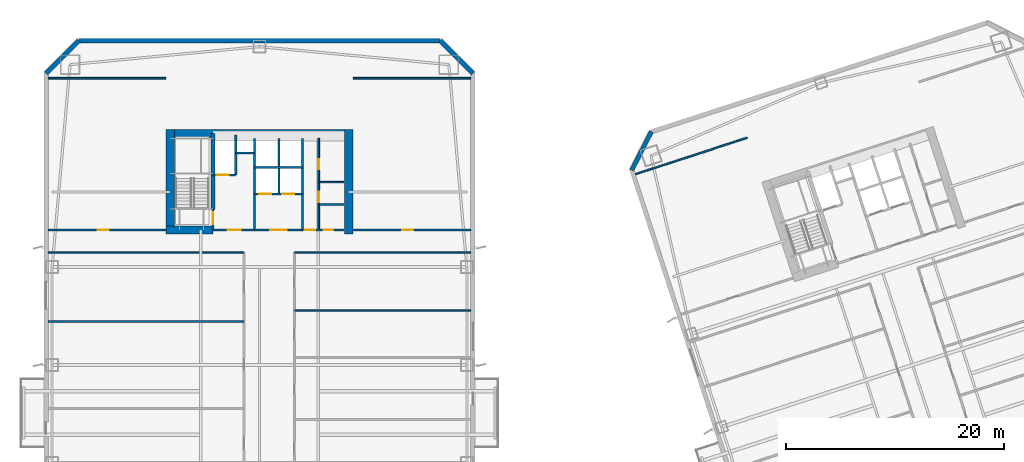
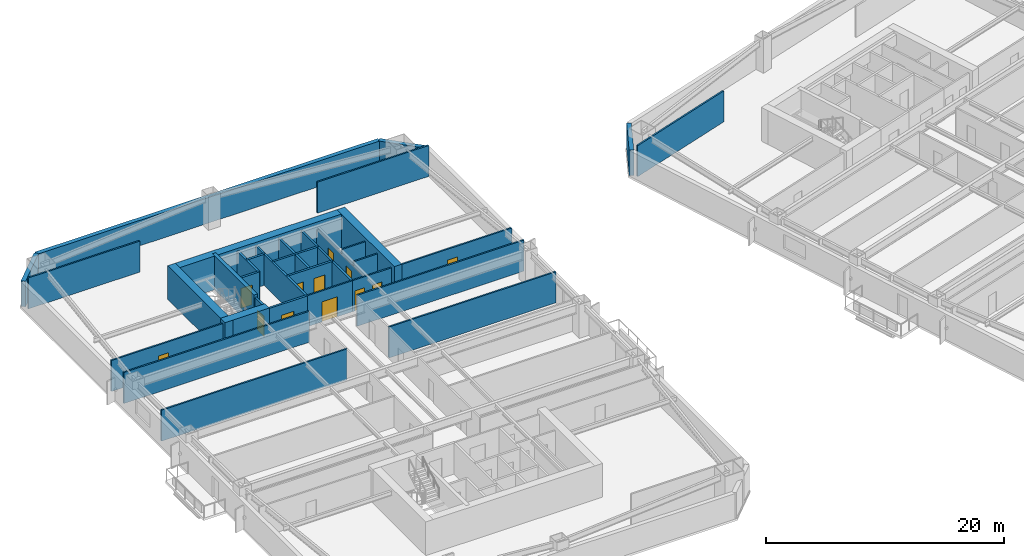
# One storey, part 6 of 18: 33 walls, 12 doors, 12 openings.
"""IFC4 building model written with IfcOpenShell, lengths in metres."""

from ifc_helpers import new_model, si_unit, direction, frame, frame_2d, origin, place, context, subcontext, project, spatial, rectangle, extrude, material, layer, layer_set, type_object, element, fill, save


model = new_model("IFC4")

# Units and contexts
model_context = context("Model", 3, precision=1e-05, world=origin(), true_north=direction((0.0, 1.0)))
body_context = subcontext(model_context, "Body", "Model", "MODEL_VIEW")
ifc_project = project(units=[si_unit("LENGTHUNIT", "METRE"), si_unit("AREAUNIT", "SQUARE_METRE"), si_unit("VOLUMEUNIT", "CUBIC_METRE"), si_unit("PLANEANGLEUNIT", "RADIAN"), si_unit("MASSUNIT", "GRAM", prefix="KILO")], contexts=[model_context])

# Site, building, storey
site_placement = place(None, origin())
site = spatial("IfcSite", under=ifc_project, at=site_placement, CompositionType="ELEMENT")
building_placement = place(site_placement, origin())
building = spatial("IfcBuilding", under=site, at=building_placement, Name="Qiaolan Cultural Towers", CompositionType="ELEMENT")
storey_placement = place(building_placement, frame((0.0, 0.0, 67.85009765625)))
storey = spatial("IfcBuildingStorey", under=building, at=storey_placement, Name="L16", CompositionType="ELEMENT", Elevation=67.85009765625)

# Walls
ifc_material_1 = material(Name="Concrete C50", Category="concrete")
ifc_layer_1 = layer(ifc_material_1, 0.35009765625)
ifc_layer_set_1 = layer_set([ifc_layer_1], Name="Concrete C50")
wall_type_1 = type_object("IfcWallType", Name="WL-CORE-350", PredefinedType="SHEAR", material=ifc_layer_set_1)
wall_1_placement = place(storey_placement, frame((25.719970703125, 48.300048828125, 0.0), z_axis=(0.0, 0.0, 1.0), x_axis=(0.0, 1.0, 0.0)))
element("IfcWall", 1, at=wall_1_placement, inside=storey, type_object=wall_type_1, Name="L16 T1-CN Stair Core Dividing Web", PredefinedType="SHEAR", context=body_context, shape_type="SweptSolid", body=[
    extrude(rectangle(XDim=6.97998046875, YDim=0.35009765625, at=frame_2d((3.489990234375, 0.0))), origin(), (0.0, 0.0, 1.0), 3.449951171875),
])
ifc_material_2 = material(Name="Concrete C60", Category="concrete")
ifc_layer_2 = layer(ifc_material_2, 0.75)
ifc_layer_set_2 = layer_set([ifc_layer_2], Name="Concrete C60")
wall_type_2 = type_object("IfcWallType", Name="WL-CORE-750", PredefinedType="SHEAR", material=ifc_layer_set_2)
wall_2_placement = place(storey_placement, frame((21.425048828125, 55.280029296875, 0.0), z_axis=(0.0, 0.0, 1.0), x_axis=(1.0, 0.0, 0.0)))
element("IfcWall", 2, at=wall_2_placement, inside=storey, type_object=wall_type_2, Name="L16 T1-CN Outer Core Shear Wall", PredefinedType="SHEAR", context=body_context, shape_type="SweptSolid", body=[
    extrude(rectangle(XDim=17.14990234375, YDim=0.75, at=frame_2d((8.574951171875, 0.0))), origin(), (0.0, 0.0, 1.0), 3.449951171875),
])
for number, where, z_axis, x_axis, name in (
    (3, (21.800048828125, 46.02490234375, 0.0), (0.0, 0.0, 1.0), (0.0, 1.0, 0.0), "L16 T1-CN West Core Shear Wall"),
    (4, (38.199951171875, 46.02490234375, 0.0), (0.0, 0.0, 1.0), (0.0, 1.0, 0.0), "L16 T1-CN East Core Shear Wall"),
):
    element("IfcWall", number, at=place(storey_placement, frame(where, z_axis=z_axis, x_axis=x_axis)), inside=storey, type_object=wall_type_2, Name=name, PredefinedType="SHEAR", context=body_context, shape_type="SweptSolid", body=[
        extrude(rectangle(XDim=9.630126953125, YDim=0.75, at=frame_2d((4.81494140625, 0.0))), origin(), (0.0, 0.0, 1.0), 3.449951171875),
    ])
wall_3_placement = place(storey_placement, frame((21.425048828125, 46.39990234375, 0.0), z_axis=(0.0, 0.0, 1.0), x_axis=(1.0, 0.0, 0.0)))
element("IfcWall", 5, at=wall_3_placement, inside=storey, type_object=wall_type_2, Name="L16 T1-CN Stair Front Shear Wall", PredefinedType="SHEAR", context=body_context, shape_type="SweptSolid", body=[
    extrude(rectangle(XDim=4.294921875, YDim=0.75, at=frame_2d((2.1474609375, 0.0))), origin(), (0.0, 0.0, 1.0), 3.449951171875),
])
ifc_material_3 = material(Name="Precast Concrete C50 Honed Stone Pier", Category="masonry")
ifc_layer_3 = layer(ifc_material_3, 0.39990234375)
ifc_layer_set_3 = layer_set([ifc_layer_3], Name="Precast Concrete C50 Honed Stone Pier")
wall_type_3 = type_object("IfcWallType", Name="WL-EXT-PIER-400", PredefinedType="SOLIDWALL", material=ifc_layer_set_3)
wall_4_placement = place(storey_placement, frame((10.39990234375, 60.800048828125, 0.0), z_axis=(0.0, 0.0, 1.0), x_axis=(0.707106781187, 0.707106781187, 0.0)))
element("IfcWall", 6, at=wall_4_placement, inside=storey, type_object=wall_type_3, Name="L16 West Tower Precast Pier Facade Wall F2", PredefinedType="SOLIDWALL", context=body_context, shape_type="SweptSolid", body=[
    extrude(rectangle(XDim=4.24267578125, YDim=0.39990234375, at=frame_2d((2.121337890625, 0.0))), origin(), (0.0, 0.0, 1.0), 2.60986328125),
])
wall_5_placement = place(storey_placement, frame((13.39990234375, 63.800048828125, 0.0), z_axis=(0.0, 0.0, 1.0), x_axis=(1.0, 0.0, 0.0)))
element("IfcWall", 7, at=wall_5_placement, inside=storey, type_object=wall_type_3, Name="L16 West Tower Precast Pier Facade Wall F3", PredefinedType="SOLIDWALL", context=body_context, shape_type="SweptSolid", body=[
    extrude(rectangle(XDim=33.2001953125, YDim=0.39990234375, at=frame_2d((16.60009765625, 0.0))), origin(), (0.0, 0.0, 1.0), 2.60986328125),
])
wall_6_placement = place(storey_placement, frame((46.60009765625, 63.800048828125, 0.0), z_axis=(0.0, 0.0, 1.0), x_axis=(0.707106781187, -0.707106781187, 0.0)))
element("IfcWall", 8, at=wall_6_placement, inside=storey, type_object=wall_type_3, Name="L16 West Tower Precast Pier Facade Wall F4", PredefinedType="SOLIDWALL", context=body_context, shape_type="SweptSolid", body=[
    extrude(rectangle(XDim=4.24267578125, YDim=0.39990234375, at=frame_2d((2.121337890625, 0.0))), origin(), (0.0, 0.0, 1.0), 2.60986328125),
])
wall_7_placement = place(storey_placement, frame((64.20458984375, 51.905029296875, 0.0), z_axis=(0.0, 0.0, 1.0), x_axis=(0.453958106755, 0.891023028497, 0.0)))
element("IfcWall", 9, at=wall_7_placement, inside=storey, type_object=wall_type_3, Name="L16 East Tower Precast Pier Facade Wall F2", PredefinedType="SOLIDWALL", context=body_context, shape_type="SweptSolid", body=[
    extrude(rectangle(XDim=3.9599609375, YDim=0.39990234375, at=frame_2d((1.97998046875, 0.0))), origin(), (0.0, 0.0, 1.0), 2.60986328125),
])

# Wall, opening, door
ifc_material_4 = material(Name="Concrete C35 Fire Wall", Category="concrete")
ifc_layer_4 = layer(ifc_material_4, 0.199951171875)
ifc_layer_set_4 = layer_set([ifc_layer_4], Name="Concrete C35 Fire Wall")
wall_type_4 = type_object("IfcWallType", Name="WL-FIRE-200", PredefinedType="PARTITIONING", material=ifc_layer_set_4)
wall_8_placement = place(storey_placement, frame((25.719970703125, 46.39990234375, 0.0), z_axis=(0.0, 0.0, 1.0), x_axis=(0.0, 1.0, 0.0)))
wall_8 = element("IfcWall", 10, at=wall_8_placement, inside=storey, type_object=wall_type_4, Name="L16 T1-CN Smokeproof Stair Entry Wall", PredefinedType="PARTITIONING", context=body_context, shape_type="SweptSolid", body=[
    extrude(rectangle(XDim=1.900146484375, YDim=0.199951171875, at=frame_2d((0.9501953125, 0.0))), origin(), (0.0, 0.0, 1.0), 3.1748046875),
])
opening_1_placement = place(wall_8_placement, frame((0.52001953125, 0.0, 0.0)))
opening_1 = element("IfcOpeningElement", 11, at=opening_1_placement, cuts=wall_8, Name="Opening FD-04", PredefinedType="OPENING", context=body_context, shape_type="SweptSolid", body=[
    extrude(rectangle(XDim=1.10009765625, YDim=2.050048828125, at=frame_2d((0.550048828125, 1.02490234375))), frame((0.0, 0.10986328125, 0.0), z_axis=(0.0, -1.0, 0.0), x_axis=(1.0, 0.0, 0.0)), (0.0, 0.0, 1.0), 0.219970703125),
])
ifc_material_5 = material(Name="Galvanized Steel Command Fire Door", Category="steel")
door_type_1 = type_object("IfcDoorType", Name="DR-FD90-1100", OperationType="NOTDEFINED", PredefinedType="DOOR", material=ifc_material_5)
door_1_placement = place(opening_1_placement, origin())
door_1 = element("IfcDoor", 12, at=door_1_placement, inside=storey, type_object=door_type_1, Name="L16 ST-W2 Smokeproof Stair Fire Door", OperationType="SINGLE_SWING_LEFT", OverallHeight=2.050048828125, OverallWidth=1.10009765625, PredefinedType="DOOR", context=body_context, shape_type="SweptSolid", body=[
    extrude(rectangle(XDim=1.10009765625, YDim=2.050048828125, at=frame_2d((0.550048828125, 1.02490234375))), frame((0.0, 0.02490234375, 0.0), z_axis=(0.0, -1.0, 0.0), x_axis=(1.0, 0.0, 0.0)), (0.0, 0.0, 1.0), 0.050048828125),
])
fill(opening_1, door_1)

# Wall
wall_9_placement = place(storey_placement, frame((29.550048828125, 46.39990234375, 0.0), z_axis=(0.0, 0.0, 1.0), x_axis=(0.0, 1.0, 0.0)))
element("IfcWall", 13, at=wall_9_placement, inside=storey, type_object=wall_type_4, Name="L16 T1-CN Firefighting Zone Wall", PredefinedType="PARTITIONING", context=body_context, shape_type="SweptSolid", body=[
    extrude(rectangle(XDim=8.43017578125, YDim=0.199951171875, at=frame_2d((4.215087890625, 0.0))), origin(), (0.0, 0.0, 1.0), 3.1748046875),
])

# Wall, opening, door
wall_10_placement = place(storey_placement, frame((25.719970703125, 46.39990234375, 0.0), z_axis=(0.0, 0.0, 1.0), x_axis=(1.0, 0.0, 0.0)))
wall_10 = element("IfcWall", 14, at=wall_10_placement, inside=storey, type_object=wall_type_4, Name="L16 T1-CN Firefighting Lobby Front Wall", PredefinedType="PARTITIONING", context=body_context, shape_type="SweptSolid", body=[
    extrude(rectangle(XDim=3.830078125, YDim=0.199951171875, at=frame_2d((1.9150390625, 0.0))), origin(), (0.0, 0.0, 1.0), 3.1748046875),
])
opening_2_placement = place(wall_10_placement, frame((1.35009765625, 0.0, 0.0)))
opening_2 = element("IfcOpeningElement", 15, at=opening_2_placement, cuts=wall_10, Name="Opening FD-03", PredefinedType="OPENING", context=body_context, shape_type="SweptSolid", body=[
    extrude(rectangle(XDim=1.199951171875, YDim=2.050048828125, at=frame_2d((0.60009765625, 1.02490234375))), frame((0.0, 0.10986328125, 0.0), z_axis=(0.0, -1.0, 0.0), x_axis=(1.0, 0.0, 0.0)), (0.0, 0.0, 1.0), 0.219970703125),
])
ifc_material_6 = material(Name="Galvanized Steel Smokeproof Lobby Fire Door", Category="steel")
door_type_2 = type_object("IfcDoorType", Name="DR-FD90-1200", OperationType="NOTDEFINED", PredefinedType="DOOR", material=ifc_material_6)
door_2_placement = place(opening_2_placement, origin())
door_2 = element("IfcDoor", 16, at=door_2_placement, inside=storey, type_object=door_type_2, Name="L16 FFL-W2 Firefighting Lobby Fire Door", OperationType="SINGLE_SWING_LEFT", OverallHeight=2.050048828125, OverallWidth=1.199951171875, PredefinedType="DOOR", context=body_context, shape_type="SweptSolid", body=[
    extrude(rectangle(XDim=1.199951171875, YDim=2.050048828125, at=frame_2d((0.60009765625, 1.02490234375))), frame((0.0, 0.02490234375, 0.0), z_axis=(0.0, -1.0, 0.0), x_axis=(1.0, 0.0, 0.0)), (0.0, 0.0, 1.0), 0.050048828125),
])
fill(opening_2, door_2)

wall_11_placement = place(storey_placement, frame((25.719970703125, 51.449951171875, 0.0), z_axis=(0.0, 0.0, 1.0), x_axis=(1.0, 0.0, 0.0)))
wall_11 = element("IfcWall", 17, at=wall_11_placement, inside=storey, type_object=wall_type_4, Name="L16 T1-CN Firefighting Shaft Front Wall", PredefinedType="PARTITIONING", context=body_context, shape_type="SweptSolid", body=[
    extrude(rectangle(XDim=2.10009765625, YDim=0.199951171875, at=frame_2d((1.050048828125, 0.0))), origin(), (0.0, 0.0, 1.0), 3.1748046875),
])
opening_3_placement = place(wall_11_placement, frame((0.35009765625, 0.0, 0.0)))
opening_3 = element("IfcOpeningElement", 18, at=opening_3_placement, cuts=wall_11, Name="Opening LD-01", PredefinedType="OPENING", context=body_context, shape_type="SweptSolid", body=[
    extrude(rectangle(XDim=1.10009765625, YDim=2.050048828125, at=frame_2d((0.550048828125, 1.02490234375))), frame((0.0, 0.10986328125, 0.0), z_axis=(0.0, -1.0, 0.0), x_axis=(1.0, 0.0, 0.0)), (0.0, 0.0, 1.0), 0.219970703125),
])
ifc_material_7 = material(Name="Brushed Stainless Steel S30408 Centre-Parting Lift Landing Door", Category="steel")
door_type_3 = type_object("IfcDoorType", Name="DR-LIFT-1100", OperationType="NOTDEFINED", PredefinedType="DOOR", material=ifc_material_7)
door_3_placement = place(opening_3_placement, origin())
door_3 = element("IfcDoor", 19, at=door_3_placement, inside=storey, type_object=door_type_3, Name="L16 FFL-W2 Firefighting Lift Landing Door", OperationType="DOUBLE_DOOR_SLIDING", OverallHeight=2.050048828125, OverallWidth=1.10009765625, PredefinedType="DOOR", context=body_context, shape_type="SweptSolid", body=[
    extrude(rectangle(XDim=1.10009765625, YDim=2.050048828125, at=frame_2d((0.550048828125, 1.02490234375))), frame((0.0, 0.02490234375, 0.0), z_axis=(0.0, -1.0, 0.0), x_axis=(1.0, 0.0, 0.0)), (0.0, 0.0, 1.0), 0.050048828125),
])
fill(opening_3, door_3)

# Walls
wall_12_placement = place(storey_placement, frame((27.820068359375, 51.449951171875, 0.0), z_axis=(0.0, 0.0, 1.0), x_axis=(0.0, 1.0, 0.0)))
element("IfcWall", 20, at=wall_12_placement, inside=storey, type_object=wall_type_4, Name="L16 T1-CN Firefighting Hoistway East Wall", PredefinedType="PARTITIONING", context=body_context, shape_type="SweptSolid", body=[
    extrude(rectangle(XDim=3.699951171875, YDim=0.199951171875, at=frame_2d((1.85009765625, 0.0))), origin(), (0.0, 0.0, 1.0), 3.1748046875),
])
wall_13_placement = place(storey_placement, frame((27.820068359375, 53.47998046875, 0.0), z_axis=(0.0, 0.0, 1.0), x_axis=(1.0, 0.0, 0.0)))
element("IfcWall", 21, at=wall_13_placement, inside=storey, type_object=wall_type_4, Name="L16 T1-CN Pressurization Shaft Front Wall", PredefinedType="PARTITIONING", context=body_context, shape_type="SweptSolid", body=[
    extrude(rectangle(XDim=1.72998046875, YDim=0.199951171875, at=frame_2d((0.864990234375, 0.0))), origin(), (0.0, 0.0, 1.0), 3.1748046875),
])
wall_14_placement = place(storey_placement, frame((33.949951171875, 46.39990234375, 0.0), z_axis=(0.0, 0.0, 1.0), x_axis=(0.0, 1.0, 0.0)))
element("IfcWall", 22, at=wall_14_placement, inside=storey, type_object=wall_type_4, Name="L16 T1-CN Lift Core East Wall", PredefinedType="PARTITIONING", context=body_context, shape_type="SweptSolid", body=[
    extrude(rectangle(XDim=8.43017578125, YDim=0.199951171875, at=frame_2d((4.215087890625, 0.0))), origin(), (0.0, 0.0, 1.0), 3.1748046875),
])

# Wall, openings, doors
wall_15_placement = place(storey_placement, frame((29.550048828125, 49.719970703125, 0.0), z_axis=(0.0, 0.0, 1.0), x_axis=(1.0, 0.0, 0.0)))
wall_15 = element("IfcWall", 23, at=wall_15_placement, inside=storey, type_object=wall_type_4, Name="L16 T1-CN Passenger Lift Shaft Front Wall", PredefinedType="PARTITIONING", context=body_context, shape_type="SweptSolid", body=[
    extrude(rectangle(XDim=4.39990234375, YDim=0.199951171875, at=frame_2d((2.199951171875, 0.0))), origin(), (0.0, 0.0, 1.0), 3.1748046875),
])
opening_4_placement = place(wall_15_placement, frame((0.449951171875, 0.0, 0.0)))
opening_4 = element("IfcOpeningElement", 24, at=opening_4_placement, cuts=wall_15, Name="Opening LD-01", PredefinedType="OPENING", context=body_context, shape_type="SweptSolid", body=[
    extrude(rectangle(XDim=1.10009765625, YDim=2.050048828125, at=frame_2d((0.550048828125, 1.02490234375))), frame((0.0, 0.10986328125, 0.0), z_axis=(0.0, -1.0, 0.0), x_axis=(1.0, 0.0, 0.0)), (0.0, 0.0, 1.0), 0.219970703125),
])
opening_5_placement = place(wall_15_placement, frame((2.550048828125, 0.0, 0.0)))
opening_5 = element("IfcOpeningElement", 25, at=opening_5_placement, cuts=wall_15, Name="Opening LD-01", PredefinedType="OPENING", context=body_context, shape_type="SweptSolid", body=[
    extrude(rectangle(XDim=1.10009765625, YDim=2.050048828125, at=frame_2d((0.550048828125, 1.02490234375))), frame((0.0, 0.10986328125, 0.0), z_axis=(0.0, -1.0, 0.0), x_axis=(1.0, 0.0, 0.0)), (0.0, 0.0, 1.0), 0.219970703125),
])
door_4_placement = place(opening_4_placement, origin())
door_4 = element("IfcDoor", 26, at=door_4_placement, inside=storey, type_object=door_type_3, Name="L16 Passenger Lift 1 Landing Door", OperationType="DOUBLE_DOOR_SLIDING", OverallHeight=2.050048828125, OverallWidth=1.10009765625, PredefinedType="DOOR", context=body_context, shape_type="SweptSolid", body=[
    extrude(rectangle(XDim=1.10009765625, YDim=2.050048828125, at=frame_2d((0.550048828125, 1.02490234375))), frame((0.0, 0.02490234375, 0.0), z_axis=(0.0, -1.0, 0.0), x_axis=(1.0, 0.0, 0.0)), (0.0, 0.0, 1.0), 0.050048828125),
])
fill(opening_4, door_4)
door_5_placement = place(opening_5_placement, origin())
door_5 = element("IfcDoor", 27, at=door_5_placement, inside=storey, type_object=door_type_3, Name="L16 Passenger Lift 2 Landing Door", OperationType="DOUBLE_DOOR_SLIDING", OverallHeight=2.050048828125, OverallWidth=1.10009765625, PredefinedType="DOOR", context=body_context, shape_type="SweptSolid", body=[
    extrude(rectangle(XDim=1.10009765625, YDim=2.050048828125, at=frame_2d((0.550048828125, 1.02490234375))), frame((0.0, 0.02490234375, 0.0), z_axis=(0.0, -1.0, 0.0), x_axis=(1.0, 0.0, 0.0)), (0.0, 0.0, 1.0), 0.050048828125),
])
fill(opening_5, door_5)

# Walls
wall_16_placement = place(storey_placement, frame((31.780029296875, 49.719970703125, 0.0), z_axis=(0.0, 0.0, 1.0), x_axis=(0.0, 1.0, 0.0)))
element("IfcWall", 28, at=wall_16_placement, inside=storey, type_object=wall_type_4, Name="L16 T1-CN Lift Shaft Divider Wall", PredefinedType="PARTITIONING", context=body_context, shape_type="SweptSolid", body=[
    extrude(rectangle(XDim=5.110107421875, YDim=0.199951171875, at=frame_2d((2.55517578125, 0.0))), origin(), (0.0, 0.0, 1.0), 3.1748046875),
])
wall_17_placement = place(storey_placement, frame((29.550048828125, 52.14990234375, 0.0), z_axis=(0.0, 0.0, 1.0), x_axis=(1.0, 0.0, 0.0)))
element("IfcWall", 29, at=wall_17_placement, inside=storey, type_object=wall_type_4, Name="L16 T1-CN Passenger Lift Shaft Back Wall", PredefinedType="PARTITIONING", context=body_context, shape_type="SweptSolid", body=[
    extrude(rectangle(XDim=4.39990234375, YDim=0.199951171875, at=frame_2d((2.199951171875, 0.0))), origin(), (0.0, 0.0, 1.0), 3.1748046875),
])

# Wall, opening, door
ifc_material_8 = material(Name="Autoclaved Aerated Concrete Block B06", Category="concrete")
ifc_layer_5 = layer(ifc_material_8, 0.14990234375)
ifc_layer_set_5 = layer_set([ifc_layer_5], Name="Autoclaved Aerated Concrete Block B06")
wall_type_5 = type_object("IfcWallType", Name="WL-PART-150", PredefinedType="PARTITIONING", material=ifc_layer_set_5)
wall_18_placement = place(storey_placement, frame((29.550048828125, 46.39990234375, 0.0), z_axis=(0.0, 0.0, 1.0), x_axis=(1.0, 0.0, 0.0)))
wall_18 = element("IfcWall", 30, at=wall_18_placement, inside=storey, type_object=wall_type_5, Name="L16 T1-CN Passenger Lift Lobby Front Wall", PredefinedType="PARTITIONING", context=body_context, shape_type="SweptSolid", body=[
    extrude(rectangle(XDim=4.39990234375, YDim=0.14990234375, at=frame_2d((2.199951171875, 0.0))), origin(), (0.0, 0.0, 1.0), 3.1748046875),
])
opening_6_placement = place(wall_18_placement, frame((1.449951171875, 0.0, 0.0)))
opening_6 = element("IfcOpeningElement", 31, at=opening_6_placement, cuts=wall_18, Name="Opening FD-05", PredefinedType="OPENING", context=body_context, shape_type="SweptSolid", body=[
    extrude(rectangle(XDim=1.5, YDim=2.050048828125, at=frame_2d((0.75, 1.02490234375))), frame((0.0, 0.0849609375, 0.0), z_axis=(0.0, -1.0, 0.0), x_axis=(1.0, 0.0, 0.0)), (0.0, 0.0, 1.0), 0.169921875),
])
ifc_material_9 = material(Name="Painted Steel Lift Lobby Fire Door", Category="steel")
door_type_4 = type_object("IfcDoorType", Name="DR-FD60-1500", OperationType="NOTDEFINED", PredefinedType="DOOR", material=ifc_material_9)
door_6_placement = place(opening_6_placement, origin())
door_6 = element("IfcDoor", 32, at=door_6_placement, inside=storey, type_object=door_type_4, Name="L16 Passenger Lift Lobby Entrance", OperationType="SINGLE_SWING_LEFT", OverallHeight=2.050048828125, OverallWidth=1.5, PredefinedType="DOOR", context=body_context, shape_type="SweptSolid", body=[
    extrude(rectangle(XDim=1.5, YDim=2.050048828125, at=frame_2d((0.75, 1.02490234375))), frame((0.0, 0.02490234375, 0.0), z_axis=(0.0, -1.0, 0.0), x_axis=(1.0, 0.0, 0.0)), (0.0, 0.0, 1.0), 0.050048828125),
])
fill(opening_6, door_6)

# Wall, openings, doors
wall_19_placement = place(storey_placement, frame((33.949951171875, 46.39990234375, 0.0), z_axis=(0.0, 0.0, 1.0), x_axis=(1.0, 0.0, 0.0)))
wall_19 = element("IfcWall", 33, at=wall_19_placement, inside=storey, type_object=wall_type_5, Name="L16 T1-CN Sanitary Core Front Wall", PredefinedType="PARTITIONING", context=body_context, shape_type="SweptSolid", body=[
    extrude(rectangle(XDim=3.800048828125, YDim=0.14990234375, at=frame_2d((1.89990234375, 0.0))), origin(), (0.0, 0.0, 1.0), 3.1748046875),
])
opening_7_placement = place(wall_19_placement, frame((0.219970703125, 0.0, 0.0)))
opening_7 = element("IfcOpeningElement", 34, at=opening_7_placement, cuts=wall_19, Name="Opening ID-05", PredefinedType="OPENING", context=body_context, shape_type="SweptSolid", body=[
    extrude(rectangle(XDim=0.949951171875, YDim=2.050048828125, at=frame_2d((0.47509765625, 1.02490234375))), frame((0.0, 0.0849609375, 0.0), z_axis=(0.0, -1.0, 0.0), x_axis=(1.0, 0.0, 0.0)), (0.0, 0.0, 1.0), 0.169921875),
])
opening_8_placement = place(wall_19_placement, frame((1.949951171875, 0.0, 0.0)))
opening_8 = element("IfcOpeningElement", 35, at=opening_8_placement, cuts=wall_19, Name="Opening ID-06", PredefinedType="OPENING", context=body_context, shape_type="SweptSolid", body=[
    extrude(rectangle(XDim=0.89990234375, YDim=2.050048828125, at=frame_2d((0.449951171875, 1.02490234375))), frame((0.0, 0.0849609375, 0.0), z_axis=(0.0, -1.0, 0.0), x_axis=(1.0, 0.0, 0.0)), (0.0, 0.0, 1.0), 0.169921875),
])
ifc_material_10 = material(Name="Fire-Rated Laminate Core Service Door", Category="timber")
door_type_5 = type_object("IfcDoorType", Name="DR-INT-900", OperationType="NOTDEFINED", PredefinedType="DOOR", material=ifc_material_10)
door_7_placement = place(opening_8_placement, origin())
door_7 = element("IfcDoor", 36, at=door_7_placement, inside=storey, type_object=door_type_5, Name="L16 Core Tea Pantry Door", OperationType="SINGLE_SWING_RIGHT", OverallHeight=2.050048828125, OverallWidth=0.89990234375, PredefinedType="DOOR", context=body_context, shape_type="SweptSolid", body=[
    extrude(rectangle(XDim=0.89990234375, YDim=2.050048828125, at=frame_2d((0.449951171875, 1.02490234375))), frame((0.0, 0.02490234375, 0.0), z_axis=(0.0, -1.0, 0.0), x_axis=(1.0, 0.0, 0.0)), (0.0, 0.0, 1.0), 0.050048828125),
])
fill(opening_8, door_7)
ifc_material_11 = material(Name="Fire-Rated Laminate Accessible Core Door", Category="timber")
door_type_6 = type_object("IfcDoorType", Name="DR-INT-950", OperationType="NOTDEFINED", PredefinedType="DOOR", material=ifc_material_11)
door_8_placement = place(opening_7_placement, origin())
door_8 = element("IfcDoor", 37, at=door_8_placement, inside=storey, type_object=door_type_6, Name="L16 Sanitary Passage Door", OperationType="SINGLE_SWING_LEFT", OverallHeight=2.050048828125, OverallWidth=0.949951171875, PredefinedType="DOOR", context=body_context, shape_type="SweptSolid", body=[
    extrude(rectangle(XDim=0.949951171875, YDim=2.050048828125, at=frame_2d((0.47509765625, 1.02490234375))), frame((0.0, 0.02490234375, 0.0), z_axis=(0.0, -1.0, 0.0), x_axis=(1.0, 0.0, 0.0)), (0.0, 0.0, 1.0), 0.050048828125),
])
fill(opening_7, door_8)

wall_20_placement = place(storey_placement, frame((35.449951171875, 46.39990234375, 0.0), z_axis=(0.0, 0.0, 1.0), x_axis=(0.0, 1.0, 0.0)))
wall_20 = element("IfcWall", 38, at=wall_20_placement, inside=storey, type_object=wall_type_5, Name="L16 T1-CN Sanitary Corridor Wall", PredefinedType="PARTITIONING", context=body_context, shape_type="SweptSolid", body=[
    extrude(rectangle(XDim=8.43017578125, YDim=0.14990234375, at=frame_2d((4.215087890625, 0.0))), origin(), (0.0, 0.0, 1.0), 2.764892578125),
])
opening_9_placement = place(wall_20_placement, frame((2.550048828125, 0.0, 0.0)))
opening_9 = element("IfcOpeningElement", 39, at=opening_9_placement, cuts=wall_20, Name="Opening ID-05", PredefinedType="OPENING", context=body_context, shape_type="SweptSolid", body=[
    extrude(rectangle(XDim=0.949951171875, YDim=2.050048828125, at=frame_2d((0.47509765625, 1.02490234375))), frame((0.0, 0.0849609375, 0.0), z_axis=(0.0, -1.0, 0.0), x_axis=(1.0, 0.0, 0.0)), (0.0, 0.0, 1.0), 0.169921875),
])
opening_10_placement = place(wall_20_placement, frame((5.60009765625, 0.0, 0.0)))
opening_10 = element("IfcOpeningElement", 40, at=opening_10_placement, cuts=wall_20, Name="Opening ID-06", PredefinedType="OPENING", context=body_context, shape_type="SweptSolid", body=[
    extrude(rectangle(XDim=0.89990234375, YDim=2.050048828125, at=frame_2d((0.449951171875, 1.02490234375))), frame((0.0, 0.0849609375, 0.0), z_axis=(0.0, -1.0, 0.0), x_axis=(1.0, 0.0, 0.0)), (0.0, 0.0, 1.0), 0.169921875),
])
door_9_placement = place(opening_10_placement, origin())
door_9 = element("IfcDoor", 41, at=door_9_placement, inside=storey, type_object=door_type_5, Name="L16 Staff Restroom Door", OperationType="SINGLE_SWING_RIGHT", OverallHeight=2.050048828125, OverallWidth=0.89990234375, PredefinedType="DOOR", context=body_context, shape_type="SweptSolid", body=[
    extrude(rectangle(XDim=0.89990234375, YDim=2.050048828125, at=frame_2d((0.449951171875, 1.02490234375))), frame((0.0, 0.02490234375, 0.0), z_axis=(0.0, -1.0, 0.0), x_axis=(1.0, 0.0, 0.0)), (0.0, 0.0, 1.0), 0.050048828125),
])
fill(opening_10, door_9)
door_10_placement = place(opening_9_placement, origin())
door_10 = element("IfcDoor", 42, at=door_10_placement, inside=storey, type_object=door_type_6, Name="L16 Accessible Washroom Door", OperationType="SINGLE_SWING_LEFT", OverallHeight=2.050048828125, OverallWidth=0.949951171875, PredefinedType="DOOR", context=body_context, shape_type="SweptSolid", body=[
    extrude(rectangle(XDim=0.949951171875, YDim=2.050048828125, at=frame_2d((0.47509765625, 1.02490234375))), frame((0.0, 0.02490234375, 0.0), z_axis=(0.0, -1.0, 0.0), x_axis=(1.0, 0.0, 0.0)), (0.0, 0.0, 1.0), 0.050048828125),
])
fill(opening_9, door_10)

# Walls
for number, where, z_axis, x_axis, name in (
    (43, (35.449951171875, 50.800048828125, 0.0), (0.0, 0.0, 1.0), (1.0, 0.0, 0.0), "L16 T1-CN Restroom Split Wall"),
    (44, (35.449951171875, 48.75, 0.0), (0.0, 0.0, 1.0), (1.0, 0.0, 0.0), "L16 T1-CN Core Pantry Wall"),
):
    element("IfcWall", number, at=place(storey_placement, frame(where, z_axis=z_axis, x_axis=x_axis)), inside=storey, type_object=wall_type_5, Name=name, PredefinedType="PARTITIONING", context=body_context, shape_type="SweptSolid", body=[
        extrude(rectangle(XDim=2.300048828125, YDim=0.14990234375, at=frame_2d((1.14990234375, 0.0))), origin(), (0.0, 0.0, 1.0), 3.1748046875),
    ])
wall_21_placement = place(storey_placement, frame((10.60009765625, 60.35009765625, 0.0), z_axis=(0.0, 0.0, 1.0), x_axis=(1.0, 0.0, 0.0)))
element("IfcWall", 45, at=wall_21_placement, inside=storey, type_object=wall_type_5, Name="L16 T1 Flank Wall FLK-NW", PredefinedType="PARTITIONING", context=body_context, shape_type="SweptSolid", body=[
    extrude(rectangle(XDim=10.7998046875, YDim=0.14990234375, at=frame_2d((5.39990234375, 0.0))), origin(), (0.0, 0.0, 1.0), 3.1748046875),
])

# Wall, opening, door
wall_22_placement = place(storey_placement, frame((10.60009765625, 46.39990234375, 0.0), z_axis=(0.0, 0.0, 1.0), x_axis=(1.0, 0.0, 0.0)))
wall_22 = element("IfcWall", 46, at=wall_22_placement, inside=storey, type_object=wall_type_5, Name="L16 T1 Flank Front FLK-NW", PredefinedType="PARTITIONING", context=body_context, shape_type="SweptSolid", body=[
    extrude(rectangle(XDim=10.7998046875, YDim=0.14990234375, at=frame_2d((5.39990234375, 0.0))), origin(), (0.0, 0.0, 1.0), 3.1748046875),
])
opening_11_placement = place(wall_22_placement, frame((4.535888671875, 0.0, 0.0)))
opening_11 = element("IfcOpeningElement", 47, at=opening_11_placement, cuts=wall_22, Name="Opening ID-04", PredefinedType="OPENING", context=body_context, shape_type="SweptSolid", body=[
    extrude(rectangle(XDim=1.0, YDim=2.050048828125, at=frame_2d((0.5, 1.02490234375))), frame((0.0, 0.0849609375, 0.0), z_axis=(0.0, -1.0, 0.0), x_axis=(1.0, 0.0, 0.0)), (0.0, 0.0, 1.0), 0.169921875),
])
ifc_material_12 = material(Name="Oak Veneer Acoustic Office Door", Category="timber")
door_type_7 = type_object("IfcDoorType", Name="DR-INT-1000", OperationType="NOTDEFINED", PredefinedType="DOOR", material=ifc_material_12)
door_11_placement = place(opening_11_placement, origin())
door_11 = element("IfcDoor", 48, at=door_11_placement, inside=storey, type_object=door_type_7, Name="L16 T1 Corner Studio Door", OperationType="SINGLE_SWING_LEFT", OverallHeight=2.050048828125, OverallWidth=1.0, PredefinedType="DOOR", context=body_context, shape_type="SweptSolid", body=[
    extrude(rectangle(XDim=1.0, YDim=2.050048828125, at=frame_2d((0.5, 1.02490234375))), frame((0.0, 0.02490234375, 0.0), z_axis=(0.0, -1.0, 0.0), x_axis=(1.0, 0.0, 0.0)), (0.0, 0.0, 1.0), 0.050048828125),
])
fill(opening_11, door_11)

# Wall
wall_23_placement = place(storey_placement, frame((38.60009765625, 60.35009765625, 0.0), z_axis=(0.0, 0.0, 1.0), x_axis=(1.0, 0.0, 0.0)))
element("IfcWall", 49, at=wall_23_placement, inside=storey, type_object=wall_type_5, Name="L16 T1 Flank Wall FLK-NE", PredefinedType="PARTITIONING", context=body_context, shape_type="SweptSolid", body=[
    extrude(rectangle(XDim=10.7998046875, YDim=0.14990234375, at=frame_2d((5.39990234375, 0.0))), origin(), (0.0, 0.0, 1.0), 3.1748046875),
])

# Wall, opening, door
wall_24_placement = place(storey_placement, frame((38.60009765625, 46.39990234375, 0.0), z_axis=(0.0, 0.0, 1.0), x_axis=(1.0, 0.0, 0.0)))
wall_24 = element("IfcWall", 50, at=wall_24_placement, inside=storey, type_object=wall_type_5, Name="L16 T1 Flank Front FLK-NE", PredefinedType="PARTITIONING", context=body_context, shape_type="SweptSolid", body=[
    extrude(rectangle(XDim=10.7998046875, YDim=0.14990234375, at=frame_2d((5.39990234375, 0.0))), origin(), (0.0, 0.0, 1.0), 3.1748046875),
])
opening_12_placement = place(wall_24_placement, frame((4.535888671875, 0.0, 0.0)))
opening_12 = element("IfcOpeningElement", 51, at=opening_12_placement, cuts=wall_24, Name="Opening ID-04", PredefinedType="OPENING", context=body_context, shape_type="SweptSolid", body=[
    extrude(rectangle(XDim=1.0, YDim=2.050048828125, at=frame_2d((0.5, 1.02490234375))), frame((0.0, 0.0849609375, 0.0), z_axis=(0.0, -1.0, 0.0), x_axis=(1.0, 0.0, 0.0)), (0.0, 0.0, 1.0), 0.169921875),
])
door_12_placement = place(opening_12_placement, origin())
door_12 = element("IfcDoor", 52, at=door_12_placement, inside=storey, type_object=door_type_7, Name="L16 T1 Corner Studio Door", OperationType="SINGLE_SWING_LEFT", OverallHeight=2.050048828125, OverallWidth=1.0, PredefinedType="DOOR", context=body_context, shape_type="SweptSolid", body=[
    extrude(rectangle(XDim=1.0, YDim=2.050048828125, at=frame_2d((0.5, 1.02490234375))), frame((0.0, 0.02490234375, 0.0), z_axis=(0.0, -1.0, 0.0), x_axis=(1.0, 0.0, 0.0)), (0.0, 0.0, 1.0), 0.050048828125),
])
fill(opening_12, door_12)

# Walls
wall_25_placement = place(storey_placement, frame((10.60009765625, 44.35009765625, 0.0), z_axis=(0.0, 0.0, 1.0), x_axis=(1.0, 0.0, 0.0)))
element("IfcWall", 53, at=wall_25_placement, inside=storey, type_object=wall_type_5, Name="L16 T1 North Corridor Left Wall", PredefinedType="PARTITIONING", context=body_context, shape_type="SweptSolid", body=[
    extrude(rectangle(XDim=17.974853515625, YDim=0.14990234375, at=frame_2d((8.9873046875, 0.0))), origin(), (0.0, 0.0, 1.0), 3.1748046875),
])
wall_26_placement = place(storey_placement, frame((33.22509765625, 44.35009765625, 0.0), z_axis=(0.0, 0.0, 1.0), x_axis=(1.0, 0.0, 0.0)))
element("IfcWall", 54, at=wall_26_placement, inside=storey, type_object=wall_type_5, Name="L16 T1 North Corridor Right Wall", PredefinedType="PARTITIONING", context=body_context, shape_type="SweptSolid", body=[
    extrude(rectangle(XDim=16.1748046875, YDim=0.14990234375, at=frame_2d((8.08740234375, 0.0))), origin(), (0.0, 0.0, 1.0), 3.1748046875),
])
wall_27_placement = place(storey_placement, frame((10.60009765625, 38.0, 0.0), z_axis=(0.0, 0.0, 1.0), x_axis=(1.0, 0.0, 0.0)))
element("IfcWall", 55, at=wall_27_placement, inside=storey, type_object=wall_type_5, Name="L16 T1 West Partition 2", PredefinedType="PARTITIONING", context=body_context, shape_type="SweptSolid", body=[
    extrude(rectangle(XDim=17.974853515625, YDim=0.14990234375, at=frame_2d((8.9873046875, 0.0))), origin(), (0.0, 0.0, 1.0), 3.1748046875),
])
wall_28_placement = place(storey_placement, frame((33.22509765625, 39.0, 0.0), z_axis=(0.0, 0.0, 1.0), x_axis=(1.0, 0.0, 0.0)))
element("IfcWall", 56, at=wall_28_placement, inside=storey, type_object=wall_type_5, Name="L16 T1 East Partition 3", PredefinedType="PARTITIONING", context=body_context, shape_type="SweptSolid", body=[
    extrude(rectangle(XDim=16.1748046875, YDim=0.14990234375, at=frame_2d((8.08740234375, 0.0))), origin(), (0.0, 0.0, 1.0), 3.1748046875),
])
wall_29_placement = place(storey_placement, frame((64.53369140625, 51.538818359375, 0.0), z_axis=(0.0, 0.0, 1.0), x_axis=(0.951056658866, 0.309016555588, 0.0)))
element("IfcWall", 57, at=wall_29_placement, inside=storey, type_object=wall_type_5, Name="L16 T2 Flank Wall FLK-NW", PredefinedType="PARTITIONING", context=body_context, shape_type="SweptSolid", body=[
    extrude(rectangle(XDim=10.800048828125, YDim=0.14990234375, at=frame_2d((5.39990234375, 0.0))), origin(), (0.0, 0.0, 1.0), 3.1748046875),
])

save(model, "model.ifc")
